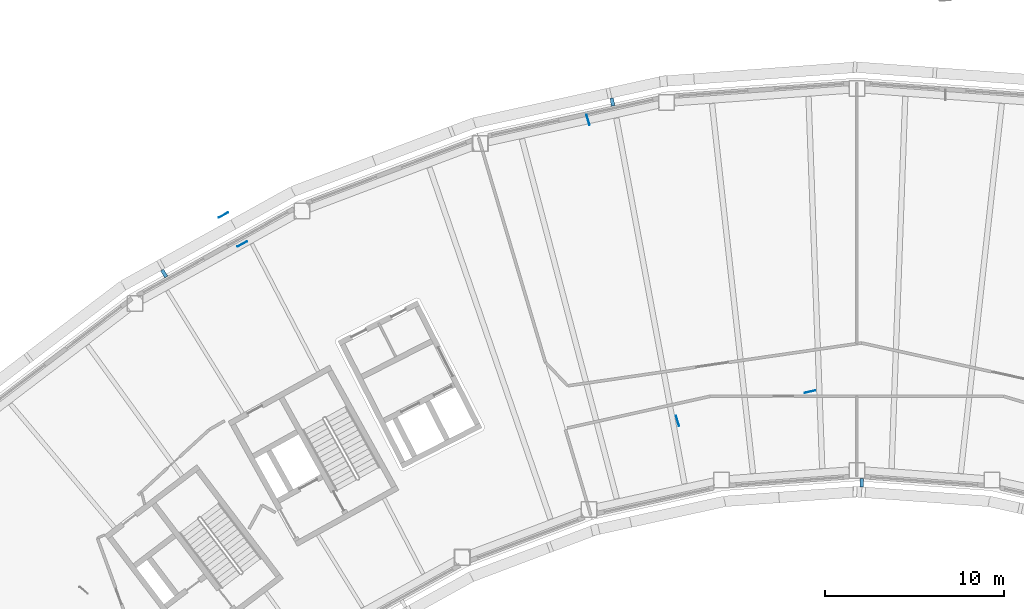
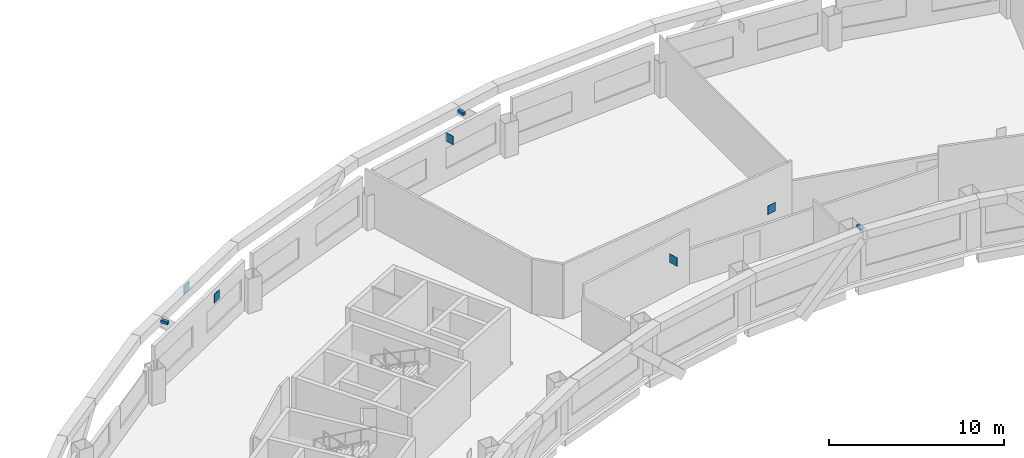
# One storey, part 13 of 20: 8 discrete accessories.
"""IFC4 building model written with IfcOpenShell, lengths in metres."""

from ifc_helpers import new_model, si_unit, direction, frame, origin, origin_2d, place, context, subcontext, project, spatial, rectangle, extrude, material, type_object, element, save


model = new_model("IFC4")

# Units and contexts
model_context = context("Model", 3, precision=1e-05, world=origin(), true_north=direction((0.0, 1.0)))
body_context = subcontext(model_context, "Body", "Model", "MODEL_VIEW")
ifc_project = project(units=[si_unit("LENGTHUNIT", "METRE"), si_unit("AREAUNIT", "SQUARE_METRE"), si_unit("VOLUMEUNIT", "CUBIC_METRE"), si_unit("PLANEANGLEUNIT", "RADIAN"), si_unit("MASSUNIT", "GRAM", prefix="KILO")], contexts=[model_context])

# Site, building, storey
site_placement = place(None, origin())
site = spatial("IfcSite", under=ifc_project, at=site_placement, CompositionType="ELEMENT")
building_placement = place(site_placement, origin())
building = spatial("IfcBuilding", under=site, at=building_placement, Name="Tuul Gate Civic Tower", CompositionType="ELEMENT")
storey_placement = place(building_placement, frame((0.0, 0.0, 197.300048828125)))
storey = spatial("IfcBuildingStorey", under=building, at=storey_placement, Name="Level 45", CompositionType="ELEMENT", Elevation=197.300048828125)

# Discrete accessories
ifc_material_1 = material(Name="Steel S355", Category="steel")
discrete_accessory_type_1 = type_object("IfcDiscreteAccessoryType", Name="Gusset plate", PredefinedType="BRACKET", material=ifc_material_1)
for number, where, z_axis, x_axis, name in (
    (1, (-14.05908203125, 11.875244140625, 2.7958984375), (0.0, 0.0, 1.0), (-0.285212112775, 0.958464423297, 0.0), "Gusset plate"),
    (2, (-34.463134765625, 6.543212890625, 2.7958984375), (0.0, 0.0, 1.0), (0.874647197225, 0.484760023503, 0.0), "Gusset plate"),
    (3, (-9.0439453125, -4.97412109375, 2.79638671875), (0.0, 0.0, 1.0), (-0.285212112775, 0.958464423297, 0.0), "Gusset plate"),
    (4, (-33.40478515625, 4.92333984375, 2.795654296875), (0.0, 0.0, 1.0), (0.874585469632, 0.484871381202, 0.0), "Gusset plate"),
    (5, (-1.632080078125, -3.3388671875, 2.796142578125), (0.0, 0.0, 1.0), (-0.97656368755, -0.215228632292, 0.0), "Gusset plate"),
):
    element("IfcDiscreteAccessory", number, at=place(storey_placement, frame(where, z_axis=z_axis, x_axis=x_axis)), inside=storey, type_object=discrete_accessory_type_1, Name=name, PredefinedType="BRACKET", context=body_context, shape_type="SweptSolid", body=[
        extrude(rectangle(XDim=0.60009765625, YDim=0.030029296875, at=origin_2d()), origin(), (0.0, 0.0, 1.0), 0.60009765625),
    ])
ifc_material_2 = material(Name="Stainless steel", Category="steel")
discrete_accessory_type_2 = type_object("IfcDiscreteAccessoryType", Name="Screen bracket", PredefinedType="BRACKET", material=ifc_material_2)
discrete_accessory_1_placement = place(storey_placement, frame((-12.69189453125, 12.867431640625, 3.75), z_axis=(0.0, 0.0, 1.0), x_axis=(-0.183853563591, 0.982953644459, 0.0)))
element("IfcDiscreteAccessory", 6, at=discrete_accessory_1_placement, inside=storey, type_object=discrete_accessory_type_2, Name="Screen bracket 11", PredefinedType="BRACKET", context=body_context, shape_type="SweptSolid", body=[
    extrude(rectangle(XDim=0.4501953125, YDim=0.199951171875, at=origin_2d()), origin(), (0.0, 0.0, 1.0), 0.199951171875),
])
discrete_accessory_2_placement = place(storey_placement, frame((-37.7763671875, 3.271728515625, 3.75), z_axis=(0.0, 0.0, 1.0), x_axis=(-0.520742945255, 0.853713526288, 0.0)))
element("IfcDiscreteAccessory", 7, at=discrete_accessory_2_placement, inside=storey, type_object=discrete_accessory_type_2, Name="Screen bracket 14", PredefinedType="BRACKET", context=body_context, shape_type="SweptSolid", body=[
    extrude(rectangle(XDim=0.450439453125, YDim=0.199951171875, at=origin_2d()), origin(), (0.0, 0.0, 1.0), 0.199951171875),
])
discrete_accessory_3_placement = place(storey_placement, frame((1.254638671875, -8.435791015625, 3.75), z_axis=(0.0, 0.0, 1.0), x_axis=(-0.005105065887, -0.999986969066, 0.0)))
element("IfcDiscreteAccessory", 8, at=discrete_accessory_3_placement, inside=storey, type_object=discrete_accessory_type_2, Name="Screen bracket 26", PredefinedType="BRACKET", context=body_context, shape_type="SweptSolid", body=[
    extrude(rectangle(XDim=0.450927734375, YDim=0.199951171875, at=origin_2d()), origin(), (0.0, 0.0, 1.0), 0.199951171875),
])

save(model, "model.ifc")
